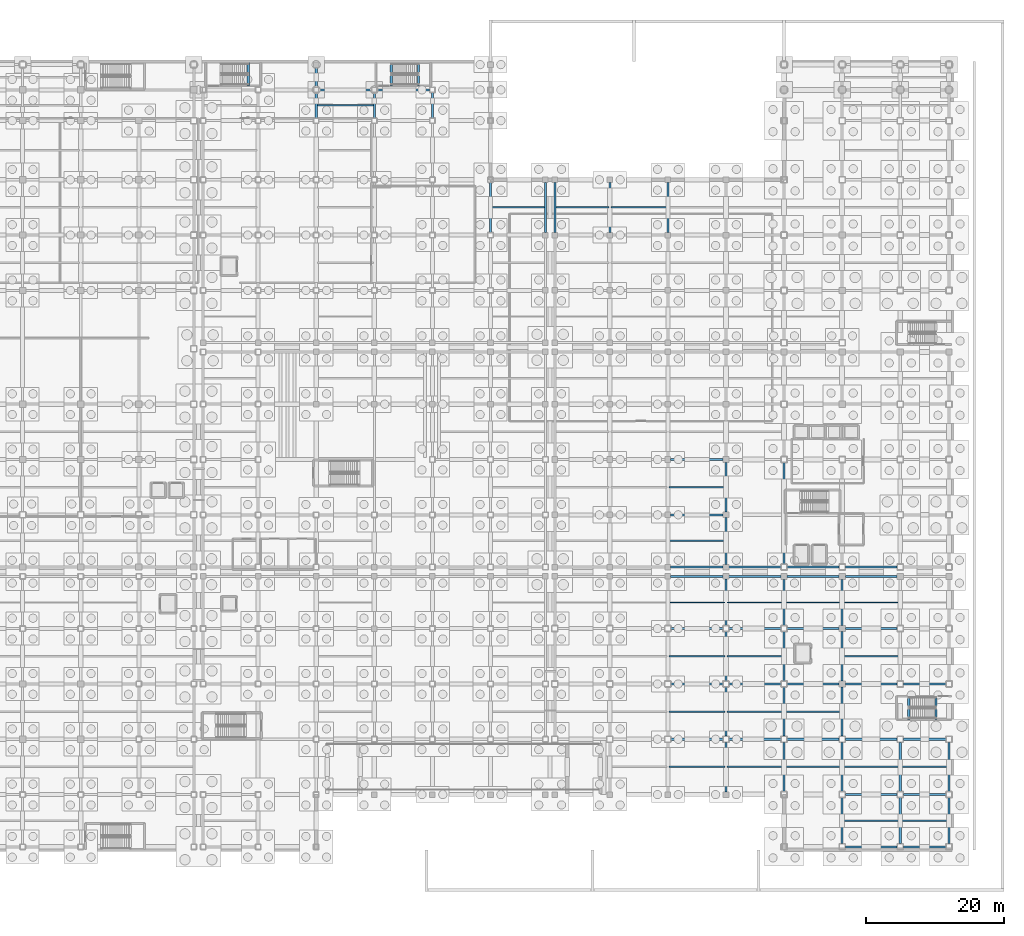
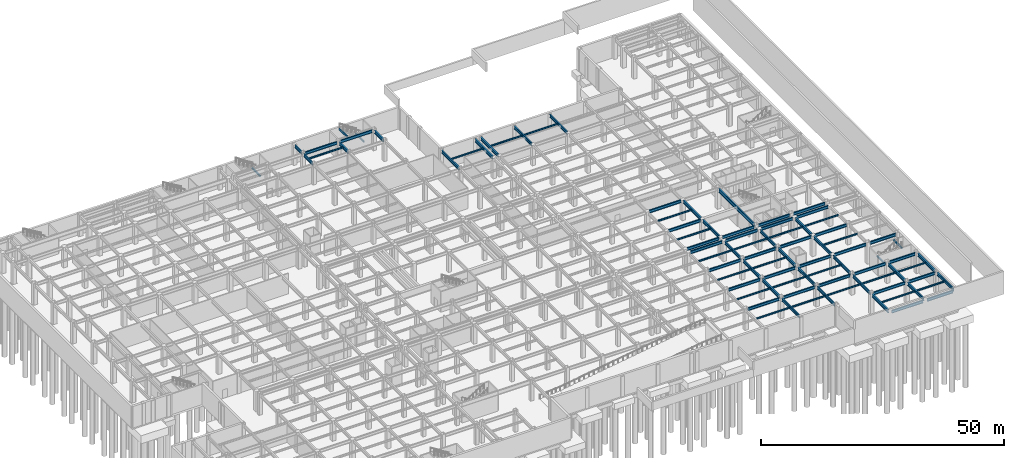
# One storey, part 28 of 55: 87 beams.
"""IFC4 building model written with IfcOpenShell, lengths in metres."""

import ifcopenshell
import ifcopenshell.guid

model = None  # the IFC model being written
_history = None  # IfcOwnerHistory: only IFC2X3 demands one
_inside = {}  # id of a spatial element -> (the spatial element, [elements in it])
_under = {}  # id of a project, library or spatial element -> (it, [spatial elements below it])
_declared = {}  # id of a project -> (the project, [libraries it declares])
_typed = {}  # id of a type object -> (the type object, [elements of that type])
_made_of = {}  # id of a material, layer set ... -> (it, [elements and type objects made of it])


def new_model(schema):
    """Start an empty IFC model of exactly this schema.

    Asked for "IFC4X3", IfcOpenShell would pick the latest addendum, in which some entities
    have other attributes; the version numbers below select the first issue.
    IFC2X3 requires an IfcOwnerHistory on every rooted entity: one is made here for all.
    """
    global model, _history
    if schema == "IFC4X3":
        model = ifcopenshell.file(schema_version=(4, 3, 0, 0))
    else:
        model = ifcopenshell.file(schema=schema)
    _inside.clear()
    _under.clear()
    _declared.clear()
    _typed.clear()
    _made_of.clear()
    _history = None
    if model.schema == "IFC2X3":
        org = make("IfcOrganization", Name="unknown")
        user = make(
            "IfcPersonAndOrganization",
            ThePerson=make("IfcPerson", FamilyName="unknown"),
            TheOrganization=org,
        )
        app = make(
            "IfcApplication",
            ApplicationDeveloper=org,
            Version="unknown",
            ApplicationFullName="unknown",
            ApplicationIdentifier="unknown",
        )
        _history = make(
            "IfcOwnerHistory",
            OwningUser=user,
            OwningApplication=app,
            ChangeAction="ADDED",
            CreationDate=0,
        )
    return model


def make(cls, **values):
    """One entity of the class cls with the attributes given. An attribute that is None is left unset."""
    return model.create_entity(
        cls, **{name: value for name, value in values.items() if value is not None}
    )


def rooted(cls, **values):
    """An entity with a GlobalId (a new one), such as an element, a storey or a relation."""
    return make(cls, GlobalId=ifcopenshell.guid.new(), OwnerHistory=_history, **values)


def si_unit(unit_type, name, prefix=None):
    """IfcSIUnit, for example si_unit("LENGTHUNIT", "METRE", prefix="MILLI")."""
    return make("IfcSIUnit", UnitType=unit_type, Prefix=prefix, Name=name)


def assignment(units):
    """IfcUnitAssignment: the units of a project."""
    return None if units is None else make("IfcUnitAssignment", Units=units)


def point(xyz):
    """IfcCartesianPoint."""
    return None if xyz is None else make("IfcCartesianPoint", Coordinates=xyz)


def direction(xyz):
    """IfcDirection."""
    return None if xyz is None else make("IfcDirection", DirectionRatios=xyz)


def frame(location, z_axis=None, x_axis=None):
    """IfcAxis2Placement3D, a coordinate frame: its origin and axes. An axis left out is left unset."""
    return make(
        "IfcAxis2Placement3D",
        Location=point(location),
        Axis=direction(z_axis),
        RefDirection=direction(x_axis),
    )


def frame_2d(location, x_axis=None):
    """IfcAxis2Placement2D, a coordinate frame in the plane: its origin and x axis."""
    return make(
        "IfcAxis2Placement2D", Location=point(location), RefDirection=direction(x_axis)
    )


def origin():
    """The frame at (0, 0, 0) with its axes left unset."""
    return frame((0.0, 0.0, 0.0))


def origin_2d():
    """The frame at (0, 0) in the plane with its x axis left unset."""
    return frame_2d((0.0, 0.0))


def place(relative_to, where):
    """IfcLocalPlacement: puts the frame where relative to a parent placement (None: the world)."""
    return make(
        "IfcLocalPlacement", PlacementRelTo=relative_to, RelativePlacement=where
    )


def context(
    kind, dimensions, precision=None, world=None, true_north=None, identifier=None
):
    """IfcGeometricRepresentationContext, for example the 3D "Model" context."""
    return make(
        "IfcGeometricRepresentationContext",
        ContextIdentifier=identifier,
        ContextType=kind,
        CoordinateSpaceDimension=dimensions,
        Precision=precision,
        WorldCoordinateSystem=world,
        TrueNorth=true_north,
    )


def subcontext(parent, identifier, kind, view, scale=None):
    """IfcGeometricRepresentationSubContext, for example "Body" below "Model"."""
    return make(
        "IfcGeometricRepresentationSubContext",
        ContextIdentifier=identifier,
        ContextType=kind,
        ParentContext=parent,
        TargetScale=scale,
        TargetView=view,
    )


def project(units=None, contexts=None):
    """IfcProject with its units and contexts."""
    return rooted(
        "IfcProject",
        Name="project",
        RepresentationContexts=contexts,
        UnitsInContext=assignment(units),
    )


def spatial(cls, under=None, at=None, **own):
    """A site, building, storey or space (cls), placed at a placement, below another one or the project."""
    s = rooted(cls, ObjectPlacement=at, **own)
    if under is not None:
        _under.setdefault(under.id(), (under, []))[1].append(s)
    return s


def profile(cls, at=None, kind="AREA", **sizes):
    """A parametric profile (cls). Its sizes go by their IFC names, for example OverallWidth=200.0."""
    return make(cls, ProfileType=kind, Position=at, **sizes)


def rectangle(**sizes):
    """IfcRectangleProfileDef."""
    return profile("IfcRectangleProfileDef", **sizes)


def i_section(**sizes):
    """IfcIShapeProfileDef."""
    return profile("IfcIShapeProfileDef", **sizes)


def extrude(swept, where, along, depth):
    """IfcExtrudedAreaSolid: the profile swept, set in the frame where, extruded along a direction by depth."""
    return make(
        "IfcExtrudedAreaSolid",
        SweptArea=swept,
        Position=where,
        ExtrudedDirection=direction(along),
        Depth=depth,
    )


def shape(context_of_items, identifier, shape_type, items):
    """IfcShapeRepresentation: the items that make up one representation, for example the "Body"."""
    return make(
        "IfcShapeRepresentation",
        ContextOfItems=context_of_items,
        RepresentationIdentifier=identifier,
        RepresentationType=shape_type,
        Items=items,
    )


def material(Name=None, Category=None):
    """IfcMaterial."""
    return make("IfcMaterial", Name=Name, Category=Category)


def material_profile(
    of_material, cross_section, Name=None, Category=None, Priority=None
):
    """IfcMaterialProfile: a cross section and its material."""
    return make(
        "IfcMaterialProfile",
        Name=Name,
        Material=of_material,
        Profile=cross_section,
        Priority=Priority,
        Category=Category,
    )


def profile_set(profiles, Name=None, composite=None):
    """IfcMaterialProfileSet."""
    return make(
        "IfcMaterialProfileSet",
        Name=Name,
        MaterialProfiles=profiles,
        CompositeProfile=composite,
    )


def made_of(thing, what):
    """Note that an element or type object is made of a material, layer set ...; save() writes the relation."""
    if what is not None:
        _made_of.setdefault(what.id(), (what, []))[1].append(thing)
    return thing


def type_object(cls, material=None, **own):
    """A type object (cls), such as IfcWallType, which elements share."""
    return made_of(rooted(cls, **own), material)


def element(
    cls,
    number,
    at=None,
    inside=None,
    cuts=None,
    type_object=None,
    material=None,
    context=None,
    identifier="Body",
    shape_type=None,
    held_by="IfcProductDefinitionShape",
    body=None,
    shapes=None,
    **own,
):
    """One element of the class cls, such as IfcWall. Its Tag is "e" and its number.

    at: its placement. inside: the storey or other place that contains it. cuts: it is an
    opening in that element (IfcRelVoidsElement). A single representation is given by context,
    identifier, shape_type and body (its items); several are given by shapes. held_by: the class
    of the entity that holds the representations. save() writes the other relations.
    """
    e = rooted(cls, Tag="e%d" % number, ObjectPlacement=at, **own)
    if body is not None:
        shapes = [shape(context, identifier, shape_type, body)]
    if shapes is not None:
        e.Representation = make(held_by, Representations=shapes)
    if inside is not None:
        _inside.setdefault(inside.id(), (inside, []))[1].append(e)
    if cuts is not None:
        rooted(
            "IfcRelVoidsElement", RelatingBuildingElement=cuts, RelatedOpeningElement=e
        )
    if type_object is not None:
        _typed.setdefault(type_object.id(), (type_object, []))[1].append(e)
    return made_of(e, material)


def aggregate(whole, parts):
    """IfcRelAggregates: a whole, such as a stair, and the parts it consists of."""
    return rooted("IfcRelAggregates", RelatingObject=whole, RelatedObjects=parts)


def save(model, path):
    """Write the relations noted so far, then the file.

    IfcRelAggregates (storeys below a building ...), IfcRelContainedInSpatialStructure (elements
    in a storey), IfcRelDefinesByType, IfcRelAssociatesMaterial and IfcRelDeclares: one each for
    every whole, place, type object, material and project.
    """
    for whole, parts in _under.values():
        aggregate(whole, parts)
    for where, things in _inside.values():
        rooted(
            "IfcRelContainedInSpatialStructure",
            RelatedElements=things,
            RelatingStructure=where,
        )
    for kind, things in _typed.values():
        rooted("IfcRelDefinesByType", RelatedObjects=things, RelatingType=kind)
    for what, things in _made_of.values():
        rooted("IfcRelAssociatesMaterial", RelatedObjects=things, RelatingMaterial=what)
    for by, libraries in _declared.values():
        rooted("IfcRelDeclares", RelatingContext=by, RelatedDefinitions=libraries)
    model.write(path)


model = new_model("IFC4")

# Units and contexts
model_context = context("Model", 3, precision=1e-05, world=origin(), true_north=direction((0.0, 1.0)))
body_context = subcontext(model_context, "Body", "Model", "MODEL_VIEW")
ifc_project = project(units=[si_unit("LENGTHUNIT", "METRE"), si_unit("AREAUNIT", "SQUARE_METRE"), si_unit("VOLUMEUNIT", "CUBIC_METRE"), si_unit("PLANEANGLEUNIT", "RADIAN"), si_unit("MASSUNIT", "GRAM", prefix="KILO")], contexts=[model_context])

# Site, building, storey
site_placement = place(None, origin())
site = spatial("IfcSite", under=ifc_project, at=site_placement, CompositionType="ELEMENT")
building_placement = place(site_placement, origin())
building = spatial("IfcBuilding", under=site, at=building_placement, Name="Kazehara Bluff Congress Hotel", CompositionType="ELEMENT")
storey_placement = place(building_placement, frame((0.0, 0.0, -5.39990234375)))
storey = spatial("IfcBuildingStorey", under=building, at=storey_placement, Name="B1", CompositionType="ELEMENT", Elevation=-5.39990234375)

# Beams
ifc_material_1 = material(Name="Steel SN490B", Category="steel")
ifc_material_profile_1 = material_profile(ifc_material_1, i_section(OverallWidth=0.300048828125, OverallDepth=0.699951171875, WebThickness=0.012939453125, FlangeThickness=0.02392578125, FilletRadius=0.01806640625, at=origin_2d()))
ifc_profile_set_1 = profile_set([ifc_material_profile_1], Name="Steel SN490B")
beam_type_1 = type_object("IfcBeamType", Name="TP-G-04", PredefinedType="BEAM", material=ifc_profile_set_1)
beam_1_placement = place(storey_placement, frame((152.550048828125, 0.449951171875, 4.77001953125), z_axis=(1.0, 0.0, 0.0), x_axis=(0.0, 1.0, 0.0)))
element("IfcBeam", 1, at=beam_1_placement, inside=storey, type_object=beam_type_1, Name="B1 girder G-04 278", PredefinedType="BEAM", context=body_context, shape_type="SweptSolid", body=[
    extrude(i_section(OverallWidth=0.300048828125, OverallDepth=0.699951171875, WebThickness=0.012939453125, FlangeThickness=0.02392578125, FilletRadius=0.01806640625, at=origin_2d()), origin(), (0.0, 0.0, 1.0), 7.5),
])
beam_2_placement = place(storey_placement, frame((160.949951171875, 0.449951171875, 4.77001953125), z_axis=(1.0, 0.0, 0.0), x_axis=(0.0, 1.0, 0.0)))
element("IfcBeam", 2, at=beam_2_placement, inside=storey, type_object=beam_type_1, Name="B1 girder G-04 279", PredefinedType="BEAM", context=body_context, shape_type="SweptSolid", body=[
    extrude(i_section(OverallWidth=0.300048828125, OverallDepth=0.699951171875, WebThickness=0.012939453125, FlangeThickness=0.02392578125, FilletRadius=0.01806640625, at=origin_2d()), origin(), (0.0, 0.0, 1.0), 6.150146484375),
])
beam_3_placement = place(storey_placement, frame((152.550048828125, 8.0, 4.77001953125), z_axis=(1.0, 0.0, 0.0), x_axis=(0.0, 1.0, 0.0)))
element("IfcBeam", 3, at=beam_3_placement, inside=storey, type_object=beam_type_1, Name="B1 girder G-04 288", PredefinedType="BEAM", context=body_context, shape_type="SweptSolid", body=[
    extrude(i_section(OverallWidth=0.300048828125, OverallDepth=0.699951171875, WebThickness=0.012939453125, FlangeThickness=0.02392578125, FilletRadius=0.01806640625, at=origin_2d()), origin(), (0.0, 0.0, 1.0), 7.5),
])
beam_4_placement = place(storey_placement, frame((160.949951171875, 8.0, 4.77001953125), z_axis=(1.0, 0.0, 0.0), x_axis=(0.0, 1.0, 0.0)))
element("IfcBeam", 4, at=beam_4_placement, inside=storey, type_object=beam_type_1, Name="B1 girder G-04 289", PredefinedType="BEAM", context=body_context, shape_type="SweptSolid", body=[
    extrude(i_section(OverallWidth=0.300048828125, OverallDepth=0.699951171875, WebThickness=0.012939453125, FlangeThickness=0.02392578125, FilletRadius=0.01806640625, at=origin_2d()), origin(), (0.0, 0.0, 1.0), 6.150146484375),
])
for number, where, z_axis, x_axis, name in (
    (5, (127.35009765625, 16.0, 4.77001953125), (1.0, 0.0, 0.0), (0.0, 1.0, 0.0), "B1 girder G-04 304"),
    (6, (135.75, 16.0, 4.77001953125), (1.0, 0.0, 0.0), (0.0, 1.0, 0.0), "B1 girder G-04 305"),
    (7, (144.14990234375, 16.0, 4.77001953125), (1.0, 0.0, 0.0), (0.0, 1.0, 0.0), "B1 girder G-04 306"),
    (8, (152.550048828125, 16.0, 4.77001953125), (1.0, 0.0, 0.0), (0.0, 1.0, 0.0), "B1 girder G-04 307"),
):
    element("IfcBeam", number, at=place(storey_placement, frame(where, z_axis=z_axis, x_axis=x_axis)), inside=storey, type_object=beam_type_1, Name=name, PredefinedType="BEAM", context=body_context, shape_type="SweptSolid", body=[
        extrude(i_section(OverallWidth=0.300048828125, OverallDepth=0.699951171875, WebThickness=0.012939453125, FlangeThickness=0.02392578125, FilletRadius=0.01806640625, at=origin_2d()), origin(), (0.0, 0.0, 1.0), 7.5),
    ])
beam_5_placement = place(storey_placement, frame((160.949951171875, 16.0, 4.77001953125), z_axis=(1.0, 0.0, 0.0), x_axis=(0.0, 1.0, 0.0)))
element("IfcBeam", 9, at=beam_5_placement, inside=storey, type_object=beam_type_1, Name="B1 girder G-04 308", PredefinedType="BEAM", context=body_context, shape_type="SweptSolid", body=[
    extrude(i_section(OverallWidth=0.300048828125, OverallDepth=0.699951171875, WebThickness=0.012939453125, FlangeThickness=0.02392578125, FilletRadius=0.01806640625, at=origin_2d()), origin(), (0.0, 0.0, 1.0), 6.150146484375),
])
for number, where, z_axis, x_axis, name in (
    (10, (127.35009765625, 24.0, 4.77001953125), (1.0, 0.0, 0.0), (0.0, 1.0, 0.0), "B1 girder G-04 324"),
    (11, (135.75, 24.0, 4.77001953125), (1.0, 0.0, 0.0), (0.0, 1.0, 0.0), "B1 girder G-04 325"),
    (12, (144.14990234375, 24.0, 4.77001953125), (1.0, 0.0, 0.0), (0.0, 1.0, 0.0), "B1 girder G-04 326"),
    (13, (152.550048828125, 24.0, 4.77001953125), (1.0, 0.0, 0.0), (0.0, 1.0, 0.0), "B1 girder G-04 327"),
):
    element("IfcBeam", number, at=place(storey_placement, frame(where, z_axis=z_axis, x_axis=x_axis)), inside=storey, type_object=beam_type_1, Name=name, PredefinedType="BEAM", context=body_context, shape_type="SweptSolid", body=[
        extrude(i_section(OverallWidth=0.300048828125, OverallDepth=0.699951171875, WebThickness=0.012939453125, FlangeThickness=0.02392578125, FilletRadius=0.01806640625, at=origin_2d()), origin(), (0.0, 0.0, 1.0), 7.5),
    ])
beam_6_placement = place(storey_placement, frame((160.949951171875, 24.0, 4.77001953125), z_axis=(1.0, 0.0, 0.0), x_axis=(0.0, 1.0, 0.0)))
element("IfcBeam", 14, at=beam_6_placement, inside=storey, type_object=beam_type_1, Name="B1 girder G-04 328", PredefinedType="BEAM", context=body_context, shape_type="SweptSolid", body=[
    extrude(i_section(OverallWidth=0.300048828125, OverallDepth=0.699951171875, WebThickness=0.012939453125, FlangeThickness=0.02392578125, FilletRadius=0.01806640625, at=origin_2d()), origin(), (0.0, 0.0, 1.0), 6.150146484375),
])
for number, where, z_axis, x_axis, name in (
    (15, (127.35009765625, 32.0, 4.77001953125), (1.0, 0.0, 0.0), (0.0, 1.0, 0.0), "B1 girder G-04 341"),
    (16, (135.75, 32.0, 4.77001953125), (1.0, 0.0, 0.0), (0.0, 1.0, 0.0), "B1 girder G-04 342"),
    (17, (144.14990234375, 32.0, 4.77001953125), (1.0, 0.0, 0.0), (0.0, 1.0, 0.0), "B1 girder G-04 343"),
    (18, (152.550048828125, 32.0, 4.77001953125), (1.0, 0.0, 0.0), (0.0, 1.0, 0.0), "B1 girder G-04 344"),
):
    element("IfcBeam", number, at=place(storey_placement, frame(where, z_axis=z_axis, x_axis=x_axis)), inside=storey, type_object=beam_type_1, Name=name, PredefinedType="BEAM", context=body_context, shape_type="SweptSolid", body=[
        extrude(i_section(OverallWidth=0.300048828125, OverallDepth=0.699951171875, WebThickness=0.012939453125, FlangeThickness=0.02392578125, FilletRadius=0.01806640625, at=origin_2d()), origin(), (0.0, 0.0, 1.0), 7.5),
    ])
beam_7_placement = place(storey_placement, frame((127.300048828125, 39.550048828125, 4.77001953125), z_axis=(1.0, 0.0, 0.0), x_axis=(0.0, 1.0, 0.0)))
element("IfcBeam", 19, at=beam_7_placement, inside=storey, type_object=beam_type_1, Name="B1 girder G-04 358", PredefinedType="BEAM", context=body_context, shape_type="SweptSolid", body=[
    extrude(i_section(OverallWidth=0.300048828125, OverallDepth=0.699951171875, WebThickness=0.012939453125, FlangeThickness=0.02392578125, FilletRadius=0.01806640625, at=origin_2d()), origin(), (0.0, 0.0, 1.0), 7.599853515625),
])
beam_8_placement = place(storey_placement, frame((135.699951171875, 39.550048828125, 4.77001953125), z_axis=(1.0, 0.0, 0.0), x_axis=(0.0, 1.0, 0.0)))
element("IfcBeam", 20, at=beam_8_placement, inside=storey, type_object=beam_type_1, Name="B1 girder G-04 359", PredefinedType="BEAM", context=body_context, shape_type="SweptSolid", body=[
    extrude(i_section(OverallWidth=0.300048828125, OverallDepth=0.699951171875, WebThickness=0.012939453125, FlangeThickness=0.02392578125, FilletRadius=0.01806640625, at=origin_2d()), origin(), (0.0, 0.0, 1.0), 7.550048828125),
])
for number, where, z_axis, x_axis, name in (
    (21, (144.14990234375, 39.550048828125, 4.77001953125), (1.0, 0.0, 0.0), (0.0, 1.0, 0.0), "B1 girder G-04 360"),
    (22, (152.550048828125, 39.550048828125, 4.77001953125), (1.0, 0.0, 0.0), (0.0, 1.0, 0.0), "B1 girder G-04 361"),
):
    element("IfcBeam", number, at=place(storey_placement, frame(where, z_axis=z_axis, x_axis=x_axis)), inside=storey, type_object=beam_type_1, Name=name, PredefinedType="BEAM", context=body_context, shape_type="SweptSolid", body=[
        extrude(i_section(OverallWidth=0.300048828125, OverallDepth=0.699951171875, WebThickness=0.012939453125, FlangeThickness=0.02392578125, FilletRadius=0.01806640625, at=origin_2d()), origin(), (0.0, 0.0, 1.0), 7.5),
    ])
beam_9_placement = place(storey_placement, frame((127.300048828125, 40.89990234375, 4.77001953125), z_axis=(1.0, 0.0, 0.0), x_axis=(0.0, 1.0, 0.0)))
element("IfcBeam", 23, at=beam_9_placement, inside=storey, type_object=beam_type_1, Name="B1 girder G-04 375", PredefinedType="BEAM", context=body_context, shape_type="SweptSolid", body=[
    extrude(i_section(OverallWidth=0.300048828125, OverallDepth=0.699951171875, WebThickness=0.012939453125, FlangeThickness=0.02392578125, FilletRadius=0.01806640625, at=origin_2d()), origin(), (0.0, 0.0, 1.0), 7.599853515625),
])
beam_10_placement = place(storey_placement, frame((135.699951171875, 40.89990234375, 4.77001953125), z_axis=(1.0, 0.0, 0.0), x_axis=(0.0, 1.0, 0.0)))
element("IfcBeam", 24, at=beam_10_placement, inside=storey, type_object=beam_type_1, Name="B1 girder G-04 376", PredefinedType="BEAM", context=body_context, shape_type="SweptSolid", body=[
    extrude(i_section(OverallWidth=0.300048828125, OverallDepth=0.699951171875, WebThickness=0.012939453125, FlangeThickness=0.02392578125, FilletRadius=0.01806640625, at=origin_2d()), origin(), (0.0, 0.0, 1.0), 7.550048828125),
])
for number, where, z_axis, x_axis, name in (
    (25, (144.14990234375, 40.89990234375, 4.77001953125), (1.0, 0.0, 0.0), (0.0, 1.0, 0.0), "B1 girder G-04 377"),
    (26, (152.550048828125, 40.89990234375, 4.77001953125), (1.0, 0.0, 0.0), (0.0, 1.0, 0.0), "B1 girder G-04 378"),
):
    element("IfcBeam", number, at=place(storey_placement, frame(where, z_axis=z_axis, x_axis=x_axis)), inside=storey, type_object=beam_type_1, Name=name, PredefinedType="BEAM", context=body_context, shape_type="SweptSolid", body=[
        extrude(i_section(OverallWidth=0.300048828125, OverallDepth=0.699951171875, WebThickness=0.012939453125, FlangeThickness=0.02392578125, FilletRadius=0.01806640625, at=origin_2d()), origin(), (0.0, 0.0, 1.0), 7.5),
    ])
for number, where, z_axis, x_axis, name in (
    (27, (127.300048828125, 48.449951171875, 4.77001953125), (1.0, 0.0, 0.0), (0.0, 1.0, 0.0), "B1 girder G-04 392"),
    (28, (127.300048828125, 56.449951171875, 4.77001953125), (1.0, 0.0, 0.0), (0.0, 1.0, 0.0), "B1 girder G-04 408"),
):
    element("IfcBeam", number, at=place(storey_placement, frame(where, z_axis=z_axis, x_axis=x_axis)), inside=storey, type_object=beam_type_1, Name=name, PredefinedType="BEAM", context=body_context, shape_type="SweptSolid", body=[
        extrude(i_section(OverallWidth=0.300048828125, OverallDepth=0.699951171875, WebThickness=0.012939453125, FlangeThickness=0.02392578125, FilletRadius=0.01806640625, at=origin_2d()), origin(), (0.0, 0.0, 1.0), 7.599853515625),
    ])
beam_11_placement = place(storey_placement, frame((76.449951171875, 109.89990234375, 4.77001953125), z_axis=(1.0, 0.0, 0.0), x_axis=(0.0, 1.0, 0.0)))
element("IfcBeam", 29, at=beam_11_placement, inside=storey, type_object=beam_type_1, Name="B1 girder G-04 531", PredefinedType="BEAM", context=body_context, shape_type="SweptSolid", body=[
    extrude(i_section(OverallWidth=0.300048828125, OverallDepth=0.699951171875, WebThickness=0.012939453125, FlangeThickness=0.02392578125, FilletRadius=0.01806640625, at=origin_2d()), origin(), (0.0, 0.0, 1.0), 7.60009765625),
])
beam_12_placement = place(storey_placement, frame((84.85009765625, 109.89990234375, 4.77001953125), z_axis=(1.0, 0.0, 0.0), x_axis=(0.0, 1.0, 0.0)))
element("IfcBeam", 30, at=beam_12_placement, inside=storey, type_object=beam_type_1, Name="B1 girder G-04 532", PredefinedType="BEAM", context=body_context, shape_type="SweptSolid", body=[
    extrude(i_section(OverallWidth=0.300048828125, OverallDepth=0.699951171875, WebThickness=0.012939453125, FlangeThickness=0.02392578125, FilletRadius=0.01806640625, at=origin_2d()), origin(), (0.0, 0.0, 1.0), 7.599853515625),
])
ifc_material_2 = material(Name="Steel SN490B", Category="steel")
ifc_material_profile_2 = material_profile(ifc_material_2, i_section(OverallWidth=0.300048828125, OverallDepth=0.75, WebThickness=0.012939453125, FlangeThickness=0.02392578125, FilletRadius=0.01806640625, at=origin_2d()))
ifc_profile_set_2 = profile_set([ifc_material_profile_2], Name="Steel SN490B")
beam_type_2 = type_object("IfcBeamType", Name="TP-G-05", PredefinedType="BEAM", material=ifc_profile_set_2)
beam_13_placement = place(storey_placement, frame((76.050048828125, 105.85009765625, 4.744873046875), z_axis=(0.0, 1.0, 0.0), x_axis=(-1.0, 0.0, 0.0)))
element("IfcBeam", 31, at=beam_13_placement, inside=storey, type_object=beam_type_2, Name="B1 girder G-05 137", PredefinedType="BEAM", context=body_context, shape_type="SweptSolid", body=[
    extrude(i_section(OverallWidth=0.300048828125, OverallDepth=0.75, WebThickness=0.012939453125, FlangeThickness=0.02392578125, FilletRadius=0.01806640625, at=origin_2d()), origin(), (0.0, 0.0, 1.0), 3.64990234375),
])
beam_14_placement = place(storey_placement, frame((76.050048828125, 110.300048828125, 4.744873046875), z_axis=(0.0, 1.0, 0.0), x_axis=(-1.0, 0.0, 0.0)))
element("IfcBeam", 32, at=beam_14_placement, inside=storey, type_object=beam_type_2, Name="B1 girder G-05 138", PredefinedType="BEAM", context=body_context, shape_type="SweptSolid", body=[
    extrude(i_section(OverallWidth=0.300048828125, OverallDepth=0.75, WebThickness=0.012939453125, FlangeThickness=0.02392578125, FilletRadius=0.01806640625, at=origin_2d()), origin(), (0.0, 0.0, 1.0), 2.849853515625),
])
for number, where, z_axis, x_axis, name in (
    (33, (84.449951171875, 105.85009765625, 4.744873046875), (0.0, 1.0, 0.0), (-1.0, 0.0, 0.0), "B1 girder G-05 149"),
    (34, (92.85009765625, 105.85009765625, 4.744873046875), (0.0, 1.0, 0.0), (-1.0, 0.0, 0.0), "B1 girder G-05 161"),
):
    element("IfcBeam", number, at=place(storey_placement, frame(where, z_axis=z_axis, x_axis=x_axis)), inside=storey, type_object=beam_type_2, Name=name, PredefinedType="BEAM", context=body_context, shape_type="SweptSolid", body=[
        extrude(i_section(OverallWidth=0.300048828125, OverallDepth=0.75, WebThickness=0.012939453125, FlangeThickness=0.02392578125, FilletRadius=0.01806640625, at=origin_2d()), origin(), (0.0, 0.0, 1.0), 3.64990234375),
    ])
for number, where, z_axis, x_axis, name in (
    (35, (101.25, 89.300048828125, 4.744873046875), (0.0, 1.0, 0.0), (-1.0, 0.0, 0.0), "B1 girder G-05 171"),
    (36, (109.199951171875, 89.300048828125, 4.744873046875), (0.0, 1.0, 0.0), (-1.0, 0.0, 0.0), "B1 girder G-05 181"),
    (37, (110.550048828125, 89.300048828125, 4.744873046875), (0.0, 1.0, 0.0), (-1.0, 0.0, 0.0), "B1 girder G-05 191"),
    (38, (118.5, 89.300048828125, 4.744873046875), (0.0, 1.0, 0.0), (-1.0, 0.0, 0.0), "B1 girder G-05 202"),
    (39, (126.89990234375, 89.300048828125, 4.744873046875), (0.0, 1.0, 0.0), (-1.0, 0.0, 0.0), "B1 girder G-05 213"),
):
    element("IfcBeam", number, at=place(storey_placement, frame(where, z_axis=z_axis, x_axis=x_axis)), inside=storey, type_object=beam_type_2, Name=name, PredefinedType="BEAM", context=body_context, shape_type="SweptSolid", body=[
        extrude(i_section(OverallWidth=0.300048828125, OverallDepth=0.75, WebThickness=0.012939453125, FlangeThickness=0.02392578125, FilletRadius=0.01806640625, at=origin_2d()), origin(), (0.0, 0.0, 1.0), 7.199951171875),
    ])
beam_15_placement = place(storey_placement, frame((135.300048828125, 8.39990234375, 4.744873046875), z_axis=(0.0, 1.0, 0.0), x_axis=(-1.0, 0.0, 0.0)))
element("IfcBeam", 40, at=beam_15_placement, inside=storey, type_object=beam_type_2, Name="B1 girder G-05 214", PredefinedType="BEAM", context=body_context, shape_type="SweptSolid", body=[
    extrude(i_section(OverallWidth=0.300048828125, OverallDepth=0.75, WebThickness=0.012939453125, FlangeThickness=0.02392578125, FilletRadius=0.01806640625, at=origin_2d()), origin(), (0.0, 0.0, 1.0), 7.150146484375),
])
for number, where, z_axis, x_axis, name in (
    (41, (135.300048828125, 16.449951171875, 4.744873046875), (0.0, 1.0, 0.0), (-1.0, 0.0, 0.0), "B1 girder G-05 215"),
    (42, (135.300048828125, 24.449951171875, 4.744873046875), (0.0, 1.0, 0.0), (-1.0, 0.0, 0.0), "B1 girder G-05 216"),
):
    element("IfcBeam", number, at=place(storey_placement, frame(where, z_axis=z_axis, x_axis=x_axis)), inside=storey, type_object=beam_type_2, Name=name, PredefinedType="BEAM", context=body_context, shape_type="SweptSolid", body=[
        extrude(i_section(OverallWidth=0.300048828125, OverallDepth=0.75, WebThickness=0.012939453125, FlangeThickness=0.02392578125, FilletRadius=0.01806640625, at=origin_2d()), origin(), (0.0, 0.0, 1.0), 7.10009765625),
    ])
beam_16_placement = place(storey_placement, frame((135.300048828125, 32.449951171875, 4.744873046875), z_axis=(0.0, 1.0, 0.0), x_axis=(-1.0, 0.0, 0.0)))
element("IfcBeam", 43, at=beam_16_placement, inside=storey, type_object=beam_type_2, Name="B1 girder G-05 217", PredefinedType="BEAM", context=body_context, shape_type="SweptSolid", body=[
    extrude(i_section(OverallWidth=0.300048828125, OverallDepth=0.75, WebThickness=0.012939453125, FlangeThickness=0.02392578125, FilletRadius=0.01806640625, at=origin_2d()), origin(), (0.0, 0.0, 1.0), 6.699951171875),
])
beam_17_placement = place(storey_placement, frame((135.300048828125, 41.300048828125, 4.744873046875), z_axis=(0.0, 1.0, 0.0), x_axis=(-1.0, 0.0, 0.0)))
element("IfcBeam", 44, at=beam_17_placement, inside=storey, type_object=beam_type_2, Name="B1 girder G-05 218", PredefinedType="BEAM", context=body_context, shape_type="SweptSolid", body=[
    extrude(i_section(OverallWidth=0.300048828125, OverallDepth=0.75, WebThickness=0.012939453125, FlangeThickness=0.02392578125, FilletRadius=0.01806640625, at=origin_2d()), origin(), (0.0, 0.0, 1.0), 6.75),
])
beam_18_placement = place(storey_placement, frame((135.300048828125, 48.85009765625, 4.744873046875), z_axis=(0.0, 1.0, 0.0), x_axis=(-1.0, 0.0, 0.0)))
element("IfcBeam", 45, at=beam_18_placement, inside=storey, type_object=beam_type_2, Name="B1 girder G-05 219", PredefinedType="BEAM", context=body_context, shape_type="SweptSolid", body=[
    extrude(i_section(OverallWidth=0.300048828125, OverallDepth=0.75, WebThickness=0.012939453125, FlangeThickness=0.02392578125, FilletRadius=0.01806640625, at=origin_2d()), origin(), (0.0, 0.0, 1.0), 7.199951171875),
])
for number, where, z_axis, x_axis, name in (
    (46, (143.699951171875, 8.449951171875, 4.744873046875), (0.0, 1.0, 0.0), (-1.0, 0.0, 0.0), "B1 girder G-05 225"),
    (47, (143.699951171875, 16.449951171875, 4.744873046875), (0.0, 1.0, 0.0), (-1.0, 0.0, 0.0), "B1 girder G-05 226"),
    (48, (143.699951171875, 24.449951171875, 4.744873046875), (0.0, 1.0, 0.0), (-1.0, 0.0, 0.0), "B1 girder G-05 227"),
):
    element("IfcBeam", number, at=place(storey_placement, frame(where, z_axis=z_axis, x_axis=x_axis)), inside=storey, type_object=beam_type_2, Name=name, PredefinedType="BEAM", context=body_context, shape_type="SweptSolid", body=[
        extrude(i_section(OverallWidth=0.300048828125, OverallDepth=0.75, WebThickness=0.012939453125, FlangeThickness=0.02392578125, FilletRadius=0.01806640625, at=origin_2d()), origin(), (0.0, 0.0, 1.0), 7.10009765625),
    ])
for number, where, z_axis, x_axis, name in (
    (49, (143.699951171875, 32.449951171875, 4.744873046875), (0.0, 1.0, 0.0), (-1.0, 0.0, 0.0), "B1 girder G-05 228"),
    (50, (152.10009765625, 0.89990234375, 4.744873046875), (0.0, 1.0, 0.0), (-1.0, 0.0, 0.0), "B1 girder G-05 235"),
):
    element("IfcBeam", number, at=place(storey_placement, frame(where, z_axis=z_axis, x_axis=x_axis)), inside=storey, type_object=beam_type_2, Name=name, PredefinedType="BEAM", context=body_context, shape_type="SweptSolid", body=[
        extrude(i_section(OverallWidth=0.300048828125, OverallDepth=0.75, WebThickness=0.012939453125, FlangeThickness=0.02392578125, FilletRadius=0.01806640625, at=origin_2d()), origin(), (0.0, 0.0, 1.0), 6.650146484375),
    ])
for number, where, z_axis, x_axis, name in (
    (51, (152.10009765625, 8.449951171875, 4.744873046875), (0.0, 1.0, 0.0), (-1.0, 0.0, 0.0), "B1 girder G-05 236"),
    (52, (152.10009765625, 16.449951171875, 4.744873046875), (0.0, 1.0, 0.0), (-1.0, 0.0, 0.0), "B1 girder G-05 237"),
    (53, (152.10009765625, 24.449951171875, 4.744873046875), (0.0, 1.0, 0.0), (-1.0, 0.0, 0.0), "B1 girder G-05 238"),
):
    element("IfcBeam", number, at=place(storey_placement, frame(where, z_axis=z_axis, x_axis=x_axis)), inside=storey, type_object=beam_type_2, Name=name, PredefinedType="BEAM", context=body_context, shape_type="SweptSolid", body=[
        extrude(i_section(OverallWidth=0.300048828125, OverallDepth=0.75, WebThickness=0.012939453125, FlangeThickness=0.02392578125, FilletRadius=0.01806640625, at=origin_2d()), origin(), (0.0, 0.0, 1.0), 7.10009765625),
    ])
for number, where, z_axis, x_axis, name in (
    (54, (152.10009765625, 32.449951171875, 4.744873046875), (0.0, 1.0, 0.0), (-1.0, 0.0, 0.0), "B1 girder G-05 239"),
    (55, (160.5, 0.89990234375, 4.744873046875), (0.0, 1.0, 0.0), (-1.0, 0.0, 0.0), "B1 girder G-05 248"),
):
    element("IfcBeam", number, at=place(storey_placement, frame(where, z_axis=z_axis, x_axis=x_axis)), inside=storey, type_object=beam_type_2, Name=name, PredefinedType="BEAM", context=body_context, shape_type="SweptSolid", body=[
        extrude(i_section(OverallWidth=0.300048828125, OverallDepth=0.75, WebThickness=0.012939453125, FlangeThickness=0.02392578125, FilletRadius=0.01806640625, at=origin_2d()), origin(), (0.0, 0.0, 1.0), 6.650146484375),
    ])
beam_19_placement = place(storey_placement, frame((160.5, 8.449951171875, 4.744873046875), z_axis=(0.0, 1.0, 0.0), x_axis=(-1.0, 0.0, 0.0)))
element("IfcBeam", 56, at=beam_19_placement, inside=storey, type_object=beam_type_2, Name="B1 girder G-05 249", PredefinedType="BEAM", context=body_context, shape_type="SweptSolid", body=[
    extrude(i_section(OverallWidth=0.300048828125, OverallDepth=0.75, WebThickness=0.012939453125, FlangeThickness=0.02392578125, FilletRadius=0.01806640625, at=origin_2d()), origin(), (0.0, 0.0, 1.0), 7.10009765625),
])
beam_20_placement = place(storey_placement, frame((167.550048828125, 0.89990234375, 4.744873046875), z_axis=(0.0, 1.0, 0.0), x_axis=(-1.0, 0.0, 0.0)))
element("IfcBeam", 57, at=beam_20_placement, inside=storey, type_object=beam_type_2, Name="B1 girder G-05 261", PredefinedType="BEAM", context=body_context, shape_type="SweptSolid", body=[
    extrude(i_section(OverallWidth=0.300048828125, OverallDepth=0.75, WebThickness=0.012939453125, FlangeThickness=0.02392578125, FilletRadius=0.01806640625, at=origin_2d()), origin(), (0.0, 0.0, 1.0), 6.650146484375),
])
beam_21_placement = place(storey_placement, frame((167.550048828125, 8.449951171875, 4.744873046875), z_axis=(0.0, 1.0, 0.0), x_axis=(-1.0, 0.0, 0.0)))
element("IfcBeam", 58, at=beam_21_placement, inside=storey, type_object=beam_type_2, Name="B1 girder G-05 262", PredefinedType="BEAM", context=body_context, shape_type="SweptSolid", body=[
    extrude(i_section(OverallWidth=0.300048828125, OverallDepth=0.75, WebThickness=0.012939453125, FlangeThickness=0.02392578125, FilletRadius=0.01806640625, at=origin_2d()), origin(), (0.0, 0.0, 1.0), 7.10009765625),
])
ifc_material_3 = material(Name="Steel SN490B", Category="steel")
ifc_material_profile_3 = material_profile(ifc_material_3, i_section(OverallWidth=0.300048828125, OverallDepth=0.89990234375, WebThickness=0.01611328125, FlangeThickness=0.028076171875, FilletRadius=0.01806640625, at=origin_2d()))
ifc_profile_set_3 = profile_set([ifc_material_profile_3], Name="Steel SN490B")
beam_type_3 = type_object("IfcBeamType", Name="TP-G-08", PredefinedType="BEAM", material=ifc_profile_set_3)
beam_22_placement = place(storey_placement, frame((143.699951171875, 41.35009765625, 4.669921875), z_axis=(0.0, 1.0, 0.0), x_axis=(-1.0, 0.0, 0.0)))
element("IfcBeam", 59, at=beam_22_placement, inside=storey, type_object=beam_type_3, Name="B1 girder G-08 229", PredefinedType="BEAM", context=body_context, shape_type="SweptSolid", body=[
    extrude(i_section(OverallWidth=0.300048828125, OverallDepth=0.89990234375, WebThickness=0.01611328125, FlangeThickness=0.028076171875, FilletRadius=0.01806640625, at=origin_2d()), origin(), (0.0, 0.0, 1.0), 14.64990234375),
])
ifc_material_4 = material(Name="Steel SN400B", Category="steel")
ifc_material_profile_4 = material_profile(ifc_material_4, i_section(OverallWidth=0.199951171875, OverallDepth=0.39990234375, WebThickness=0.008056640625, FlangeThickness=0.012939453125, FilletRadius=0.012939453125, at=origin_2d()))
ifc_profile_set_4 = profile_set([ifc_material_profile_4], Name="Steel SN400B")
beam_type_4 = type_object("IfcBeamType", Name="TP-J-03", PredefinedType="JOIST", material=ifc_profile_set_4)
beam_23_placement = place(storey_placement, frame((76.199951171875, 107.675048828125, 4.919921875), z_axis=(1.0, 0.0, 0.0), x_axis=(0.0, 1.0, 0.0)))
element("IfcBeam", 60, at=beam_23_placement, inside=storey, type_object=beam_type_4, Name="B1 secondary joist J-03 78", PredefinedType="JOIST", context=body_context, shape_type="SweptSolid", body=[
    extrude(i_section(OverallWidth=0.199951171875, OverallDepth=0.39990234375, WebThickness=0.008056640625, FlangeThickness=0.012939453125, FilletRadius=0.012939453125, at=origin_2d()), origin(), (0.0, 0.0, 1.0), 8.10009765625),
])
for number, where, z_axis, x_axis, name in (
    (61, (101.39990234375, 92.89990234375, 4.919921875), (1.0, 0.0, 0.0), (0.0, 1.0, 0.0), "B1 secondary joist J-03 91"),
    (62, (110.699951171875, 92.89990234375, 4.919921875), (1.0, 0.0, 0.0), (0.0, 1.0, 0.0), "B1 secondary joist J-03 101"),
):
    element("IfcBeam", number, at=place(storey_placement, frame(where, z_axis=z_axis, x_axis=x_axis)), inside=storey, type_object=beam_type_4, Name=name, PredefinedType="JOIST", context=body_context, shape_type="SweptSolid", body=[
        extrude(i_section(OverallWidth=0.199951171875, OverallDepth=0.39990234375, WebThickness=0.008056640625, FlangeThickness=0.012939453125, FilletRadius=0.012939453125, at=origin_2d()), origin(), (0.0, 0.0, 1.0), 7.650146484375),
    ])
beam_24_placement = place(storey_placement, frame((118.64990234375, 92.89990234375, 4.919921875), z_axis=(1.0, 0.0, 0.0), x_axis=(0.0, 1.0, 0.0)))
element("IfcBeam", 63, at=beam_24_placement, inside=storey, type_object=beam_type_4, Name="B1 secondary joist J-03 112", PredefinedType="JOIST", context=body_context, shape_type="SweptSolid", body=[
    extrude(i_section(OverallWidth=0.199951171875, OverallDepth=0.39990234375, WebThickness=0.008056640625, FlangeThickness=0.012939453125, FilletRadius=0.012939453125, at=origin_2d()), origin(), (0.0, 0.0, 1.0), 8.10009765625),
])
for number, where, z_axis, x_axis, name in (
    (64, (127.050048828125, 12.0, 4.919921875), (1.0, 0.0, 0.0), (0.0, 1.0, 0.0), "B1 secondary joist J-03 113"),
    (65, (127.050048828125, 20.0, 4.919921875), (1.0, 0.0, 0.0), (0.0, 1.0, 0.0), "B1 secondary joist J-03 114"),
    (66, (127.050048828125, 28.0, 4.919921875), (1.0, 0.0, 0.0), (0.0, 1.0, 0.0), "B1 secondary joist J-03 115"),
    (67, (127.050048828125, 35.77490234375, 4.919921875), (1.0, 0.0, 0.0), (0.0, 1.0, 0.0), "B1 secondary joist J-03 116"),
    (68, (127.050048828125, 44.675048828125, 4.919921875), (1.0, 0.0, 0.0), (0.0, 1.0, 0.0), "B1 secondary joist J-03 117"),
    (69, (127.050048828125, 52.449951171875, 4.919921875), (1.0, 0.0, 0.0), (0.0, 1.0, 0.0), "B1 secondary joist J-03 118"),
):
    element("IfcBeam", number, at=place(storey_placement, frame(where, z_axis=z_axis, x_axis=x_axis)), inside=storey, type_object=beam_type_4, Name=name, PredefinedType="JOIST", context=body_context, shape_type="SweptSolid", body=[
        extrude(i_section(OverallWidth=0.199951171875, OverallDepth=0.39990234375, WebThickness=0.008056640625, FlangeThickness=0.012939453125, FilletRadius=0.012939453125, at=origin_2d()), origin(), (0.0, 0.0, 1.0), 8.099853515625),
    ])
for number, where, z_axis, x_axis, name in (
    (70, (135.449951171875, 12.0, 4.919921875), (1.0, 0.0, 0.0), (0.0, 1.0, 0.0), "B1 secondary joist J-03 124"),
    (71, (135.449951171875, 20.0, 4.919921875), (1.0, 0.0, 0.0), (0.0, 1.0, 0.0), "B1 secondary joist J-03 125"),
    (72, (135.449951171875, 28.0, 4.919921875), (1.0, 0.0, 0.0), (0.0, 1.0, 0.0), "B1 secondary joist J-03 126"),
    (73, (135.449951171875, 35.77490234375, 4.919921875), (1.0, 0.0, 0.0), (0.0, 1.0, 0.0), "B1 secondary joist J-03 127"),
):
    element("IfcBeam", number, at=place(storey_placement, frame(where, z_axis=z_axis, x_axis=x_axis)), inside=storey, type_object=beam_type_4, Name=name, PredefinedType="JOIST", context=body_context, shape_type="SweptSolid", body=[
        extrude(i_section(OverallWidth=0.199951171875, OverallDepth=0.39990234375, WebThickness=0.008056640625, FlangeThickness=0.012939453125, FilletRadius=0.012939453125, at=origin_2d()), origin(), (0.0, 0.0, 1.0), 8.10009765625),
    ])
for number, where, z_axis, x_axis, name in (
    (74, (143.85009765625, 12.0, 4.919921875), (1.0, 0.0, 0.0), (0.0, 1.0, 0.0), "B1 secondary joist J-03 133"),
    (75, (143.85009765625, 20.0, 4.919921875), (1.0, 0.0, 0.0), (0.0, 1.0, 0.0), "B1 secondary joist J-03 134"),
    (76, (143.85009765625, 35.77490234375, 4.919921875), (1.0, 0.0, 0.0), (0.0, 1.0, 0.0), "B1 secondary joist J-03 135"),
):
    element("IfcBeam", number, at=place(storey_placement, frame(where, z_axis=z_axis, x_axis=x_axis)), inside=storey, type_object=beam_type_4, Name=name, PredefinedType="JOIST", context=body_context, shape_type="SweptSolid", body=[
        extrude(i_section(OverallWidth=0.199951171875, OverallDepth=0.39990234375, WebThickness=0.008056640625, FlangeThickness=0.012939453125, FilletRadius=0.012939453125, at=origin_2d()), origin(), (0.0, 0.0, 1.0), 8.099853515625),
    ])
for number, where, z_axis, x_axis, name in (
    (77, (152.25, 4.22509765625, 4.919921875), (1.0, 0.0, 0.0), (0.0, 1.0, 0.0), "B1 secondary joist J-03 140"),
    (78, (152.25, 12.0, 4.919921875), (1.0, 0.0, 0.0), (0.0, 1.0, 0.0), "B1 secondary joist J-03 141"),
    (79, (152.25, 28.0, 4.919921875), (1.0, 0.0, 0.0), (0.0, 1.0, 0.0), "B1 secondary joist J-03 142"),
    (80, (152.25, 35.77490234375, 4.919921875), (1.0, 0.0, 0.0), (0.0, 1.0, 0.0), "B1 secondary joist J-03 143"),
):
    element("IfcBeam", number, at=place(storey_placement, frame(where, z_axis=z_axis, x_axis=x_axis)), inside=storey, type_object=beam_type_4, Name=name, PredefinedType="JOIST", context=body_context, shape_type="SweptSolid", body=[
        extrude(i_section(OverallWidth=0.199951171875, OverallDepth=0.39990234375, WebThickness=0.008056640625, FlangeThickness=0.012939453125, FilletRadius=0.012939453125, at=origin_2d()), origin(), (0.0, 0.0, 1.0), 8.10009765625),
    ])
for number, where, z_axis, x_axis, name in (
    (81, (160.64990234375, 4.22509765625, 4.919921875), (1.0, 0.0, 0.0), (0.0, 1.0, 0.0), "B1 secondary joist J-03 150"),
    (82, (160.64990234375, 12.0, 4.919921875), (1.0, 0.0, 0.0), (0.0, 1.0, 0.0), "B1 secondary joist J-03 151"),
):
    element("IfcBeam", number, at=place(storey_placement, frame(where, z_axis=z_axis, x_axis=x_axis)), inside=storey, type_object=beam_type_4, Name=name, PredefinedType="JOIST", context=body_context, shape_type="SweptSolid", body=[
        extrude(i_section(OverallWidth=0.199951171875, OverallDepth=0.39990234375, WebThickness=0.008056640625, FlangeThickness=0.012939453125, FilletRadius=0.012939453125, at=origin_2d()), origin(), (0.0, 0.0, 1.0), 6.75),
    ])
ifc_material_5 = material(Name="Concrete C40/50", Category="concrete")
ifc_material_profile_5 = material_profile(ifc_material_5, rectangle(XDim=0.300048828125, YDim=0.39990234375, at=origin_2d()))
ifc_profile_set_5 = profile_set([ifc_material_profile_5], Name="Concrete C40/50")
beam_type_5 = type_object("IfcBeamType", Name="TP-LN-02", PredefinedType="LINTEL", material=ifc_profile_set_5)
for number, where, z_axis, x_axis, name in (
    (83, (66.219970703125, 110.47509765625, 2.31982421875), (0.0, 1.0, 0.0), (-1.0, 0.0, 0.0), "B1 ST-06 half-landing support beam 1"),
    (84, (90.820068359375, 110.47509765625, 2.31982421875), (0.0, 1.0, 0.0), (-1.0, 0.0, 0.0), "B1 ST-07 half-landing support beam 1"),
    (85, (86.89990234375, 110.47509765625, 4.93994140625), (0.0, 1.0, 0.0), (-1.0, 0.0, 0.0), "L00 ST-07 stairwell trimmer beam"),
):
    element("IfcBeam", number, at=place(storey_placement, frame(where, z_axis=z_axis, x_axis=x_axis)), inside=storey, type_object=beam_type_5, Name=name, PredefinedType="LINTEL", context=body_context, shape_type="SweptSolid", body=[
        extrude(rectangle(XDim=0.300048828125, YDim=0.39990234375, at=origin_2d()), origin(), (0.0, 0.0, 1.0), 3.349853515625),
    ])
for number, where, z_axis, x_axis, name in (
    (86, (161.72998046875, 22.22509765625, 2.31982421875), (0.0, -1.0, 0.0), (1.0, 0.0, 0.0), "B1 ST-10 half-landing support beam 1"),
    (87, (165.64990234375, 22.22509765625, 4.93994140625), (0.0, -1.0, 0.0), (1.0, 0.0, 0.0), "L00 ST-10 stairwell trimmer beam"),
):
    element("IfcBeam", number, at=place(storey_placement, frame(where, z_axis=z_axis, x_axis=x_axis)), inside=storey, type_object=beam_type_5, Name=name, PredefinedType="LINTEL", context=body_context, shape_type="SweptSolid", body=[
        extrude(rectangle(XDim=0.300048828125, YDim=0.39990234375, at=origin_2d()), origin(), (0.0, 0.0, 1.0), 3.35009765625),
    ])

save(model, "model.ifc")
